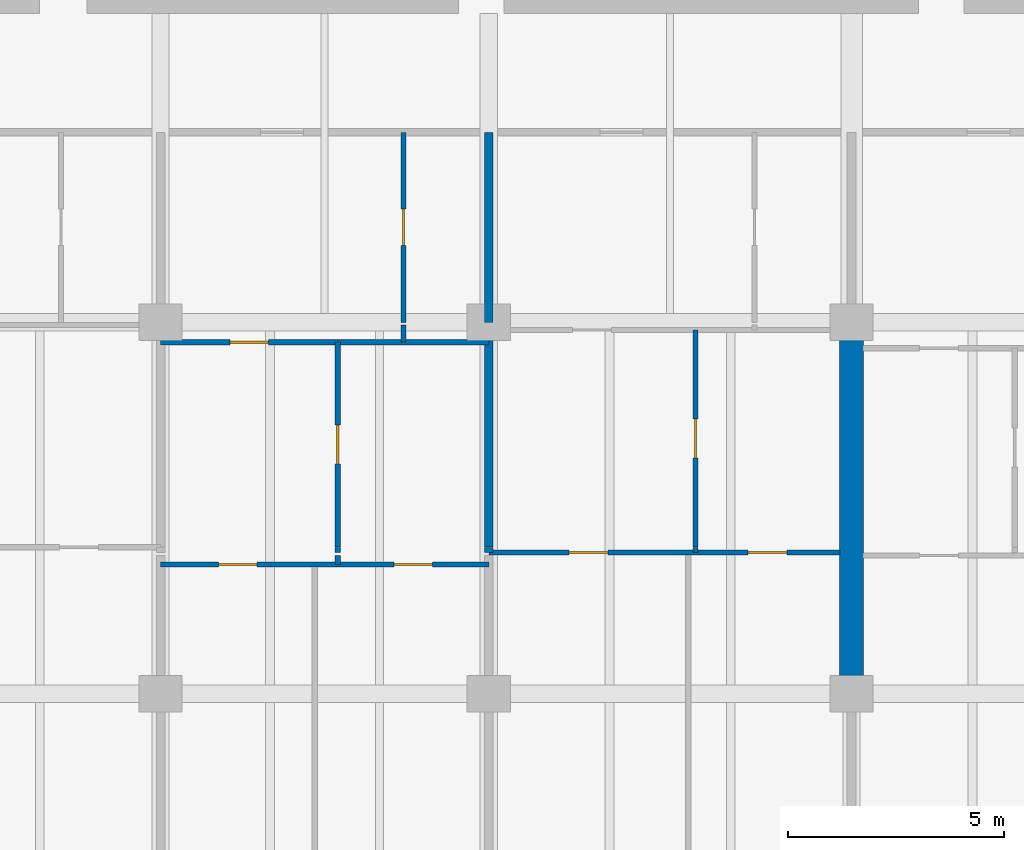
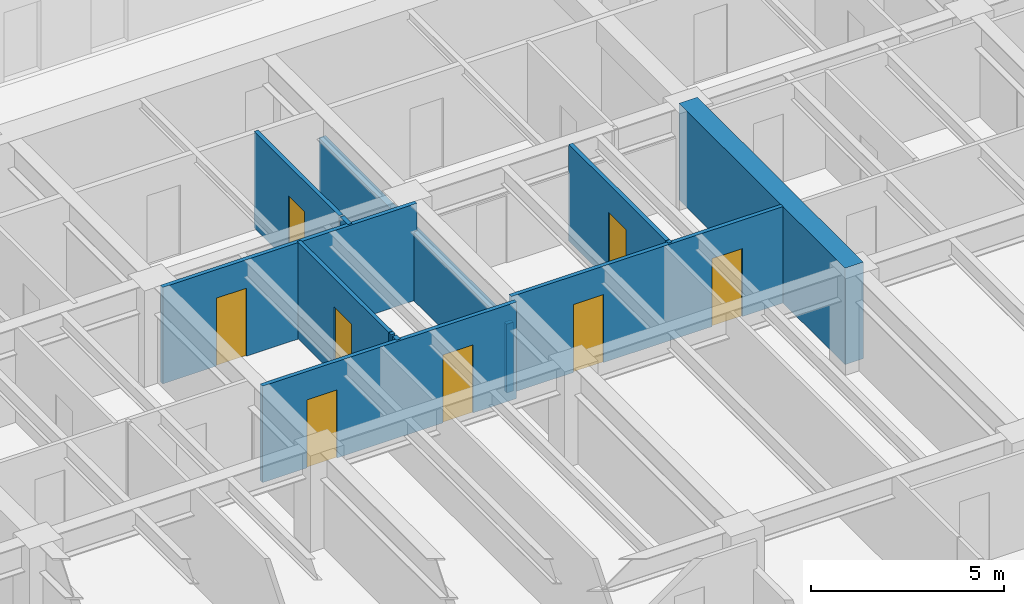
# One storey, part 9 of 19: 14 walls, 8 doors, 8 openings.
"""IFC4 building model written with IfcOpenShell, lengths in metres."""

from ifc_helpers import new_model, si_unit, direction, frame, frame_2d, origin, place, context, subcontext, project, spatial, rectangle, extrude, material, layer, layer_set, type_object, element, fill, save


model = new_model("IFC4")

# Units and contexts
model_context = context("Model", 3, precision=1e-05, world=origin(), true_north=direction((0.0, 1.0)))
body_context = subcontext(model_context, "Body", "Model", "MODEL_VIEW")
ifc_project = project(units=[si_unit("LENGTHUNIT", "METRE"), si_unit("AREAUNIT", "SQUARE_METRE"), si_unit("VOLUMEUNIT", "CUBIC_METRE"), si_unit("PLANEANGLEUNIT", "RADIAN"), si_unit("MASSUNIT", "GRAM", prefix="KILO")], contexts=[model_context])

# Site, building, storey
site_placement = place(None, origin())
site = spatial("IfcSite", under=ifc_project, at=site_placement, CompositionType="ELEMENT")
building_placement = place(site_placement, origin())
building = spatial("IfcBuilding", under=site, at=building_placement, Name="Caelmar Bay Residences", CompositionType="ELEMENT")
storey_placement = place(building_placement, frame((0.0, 0.0, 91.199951171875)))
storey = spatial("IfcBuildingStorey", under=building, at=storey_placement, Name="L24", CompositionType="ELEMENT", Elevation=91.199951171875)

# Walls
ifc_material_1 = material(Name="Concrete f'c 70 MPa (10,000 psi)", Category="concrete")
ifc_layer_1 = layer(ifc_material_1, 0.550048828125)
ifc_layer_set_1 = layer_set([ifc_layer_1], Name="Concrete f'c 70 MPa (10,000 psi)")
wall_type_1 = type_object("IfcWallType", Name="SW-XSLB-550", PredefinedType="SHEAR", material=ifc_layer_set_1)
wall_1_placement = place(storey_placement, frame((51.10009765625, 20.800048828125, 0.0), z_axis=(0.0, 0.0, 1.0), x_axis=(0.0, 1.0, 0.0)))
element("IfcWall", 1, at=wall_1_placement, inside=storey, type_object=wall_type_1, Name="L24 Transverse Cross-Slab Shear Wall E8", PredefinedType="SHEAR", context=body_context, shape_type="SweptSolid", body=[
    extrude(rectangle(XDim=8.599853515625, YDim=0.550048828125, at=frame_2d((4.2998046875, 0.0))), origin(), (0.0, 0.0, 1.0), 3.050048828125),
])
ifc_material_2 = material(Name="Acoustic metal-stud gypsum partition 120 mm")
ifc_layer_2 = layer(ifc_material_2, 0.1201171875)
ifc_layer_set_2 = layer_set([ifc_layer_2], Name="Acoustic metal-stud gypsum partition 120 mm")
wall_type_2 = type_object("IfcWallType", Name="W-PRT-120", PredefinedType="PARTITIONING", material=ifc_layer_set_2)
wall_2_placement = place(storey_placement, frame((39.2041015625, 23.7900390625, 0.0), z_axis=(0.0, 0.0, 1.0), x_axis=(0.0, 1.0, 0.0)))
element("IfcWall", 2, at=wall_2_placement, inside=storey, type_object=wall_type_2, Name="L24 Partition Wall V047", PredefinedType="PARTITIONING", context=body_context, shape_type="SweptSolid", body=[
    extrude(rectangle(XDim=0.2099609375, YDim=0.1201171875, at=frame_2d((0.10498046875, 0.0))), origin(), (0.0, 0.0, 1.0), 3.050048828125),
])
wall_3_placement = place(storey_placement, frame((39.2041015625, 24.070068359375, 0.0), z_axis=(0.0, 0.0, 1.0), x_axis=(0.0, 1.0, 0.0)))
element("IfcWall", 3, at=wall_3_placement, inside=storey, type_object=wall_type_2, Name="L24 Partition Wall V048", PredefinedType="PARTITIONING", context=body_context, shape_type="SweptSolid", body=[
    extrude(rectangle(XDim=0.119873046875, YDim=0.1201171875, at=frame_2d((0.06005859375, 0.0))), origin(), (0.0, 0.0, 1.0), 3.050048828125),
])

# Wall, opening, door
wall_4_placement = place(storey_placement, frame((39.2041015625, 24.199951171875, 0.0), z_axis=(0.0, 0.0, 1.0), x_axis=(0.0, 1.0, 0.0)))
wall_4 = element("IfcWall", 4, at=wall_4_placement, inside=storey, type_object=wall_type_2, Name="L24 Partition Wall V049", PredefinedType="PARTITIONING", context=body_context, shape_type="SweptSolid", body=[
    extrude(rectangle(XDim=4.739990234375, YDim=0.1201171875, at=frame_2d((2.3701171875, 0.0))), origin(), (0.0, 0.0, 1.0), 3.050048828125),
])
opening_1_placement = place(wall_4_placement, frame((1.919921875, 0.0, 0.0)))
opening_1 = element("IfcOpeningElement", 5, at=opening_1_placement, cuts=wall_4, Name="Opening D-L24-140", PredefinedType="OPENING", context=body_context, shape_type="SweptSolid", body=[
    extrude(rectangle(XDim=0.89990234375, YDim=2.14990234375, at=frame_2d((0.449951171875, 1.074951171875))), frame((0.0, 0.070068359375, 0.0), z_axis=(0.0, -1.0, 0.0), x_axis=(1.0, 0.0, 0.0)), (0.0, 0.0, 1.0), 0.14013671875),
])
ifc_material_3 = material(Name="Solid walnut timber interior door leaf and frame", Category="wood")
ifc_layer_3 = layer(ifc_material_3, 0.050048828125)
ifc_layer_set_3 = layer_set([ifc_layer_3], Name="Solid walnut timber interior door leaf and frame")
door_type_1 = type_object("IfcDoorType", Name="D-ROOM-900", OperationType="NOTDEFINED", PredefinedType="DOOR", material=ifc_layer_set_3)
door_1_placement = place(opening_1_placement, origin())
door_1 = element("IfcDoor", 6, at=door_1_placement, inside=storey, type_object=door_type_1, Name="L24 Residence 03 Home Office Door", OperationType="SINGLE_SWING_LEFT", OverallHeight=2.14990234375, OverallWidth=0.89990234375, PredefinedType="DOOR", context=body_context, shape_type="SweptSolid", body=[
    extrude(rectangle(XDim=0.89990234375, YDim=2.14990234375, at=frame_2d((0.449951171875, 1.074951171875))), frame((0.0, 0.02490234375, 0.0), z_axis=(0.0, -1.0, 0.0), x_axis=(1.0, 0.0, 0.0)), (0.0, 0.0, 1.0), 0.050048828125),
])
fill(opening_1, door_1)

# Wall
wall_5_placement = place(storey_placement, frame((40.72509765625, 28.93994140625, 0.0), z_axis=(0.0, 0.0, 1.0), x_axis=(0.0, 1.0, 0.0)))
element("IfcWall", 7, at=wall_5_placement, inside=storey, type_object=wall_type_2, Name="L24 Partition Wall V051", PredefinedType="PARTITIONING", context=body_context, shape_type="SweptSolid", body=[
    extrude(rectangle(XDim=0.400146484375, YDim=0.1201171875, at=frame_2d((0.2001953125, 0.0))), origin(), (0.0, 0.0, 1.0), 3.050048828125),
])

# Wall, opening, door
wall_6_placement = place(storey_placement, frame((40.72509765625, 29.39990234375, 0.0), z_axis=(0.0, 0.0, 1.0), x_axis=(0.0, 1.0, 0.0)))
wall_6 = element("IfcWall", 8, at=wall_6_placement, inside=storey, type_object=wall_type_2, Name="L24 Partition Wall V052", PredefinedType="PARTITIONING", context=body_context, shape_type="SweptSolid", body=[
    extrude(rectangle(XDim=4.400146484375, YDim=0.1201171875, at=frame_2d((2.2001953125, 0.0))), origin(), (0.0, 0.0, 1.0), 3.050048828125),
])
opening_2_placement = place(wall_6_placement, frame((1.77490234375, 0.0, 0.0)))
opening_2 = element("IfcOpeningElement", 9, at=opening_2_placement, cuts=wall_6, Name="Opening D-L24-138", PredefinedType="OPENING", context=body_context, shape_type="SweptSolid", body=[
    extrude(rectangle(XDim=0.85009765625, YDim=2.10009765625, at=frame_2d((0.425048828125, 1.050048828125))), frame((0.0, 0.070068359375, 0.0), z_axis=(0.0, -1.0, 0.0), x_axis=(1.0, 0.0, 0.0)), (0.0, 0.0, 1.0), 0.14013671875),
])
ifc_layer_4 = layer(ifc_material_3, 0.050048828125)
ifc_layer_set_4 = layer_set([ifc_layer_4], Name="Solid walnut timber interior door leaf and frame")
door_type_2 = type_object("IfcDoorType", Name="D-BATH-850", OperationType="NOTDEFINED", PredefinedType="DOOR", material=ifc_layer_set_4)
door_2_placement = place(opening_2_placement, origin())
door_2 = element("IfcDoor", 10, at=door_2_placement, inside=storey, type_object=door_type_2, Name="L24 Residence 03 Bathroom Door", OperationType="SINGLE_SWING_LEFT", OverallHeight=2.10009765625, OverallWidth=0.85009765625, PredefinedType="DOOR", context=body_context, shape_type="SweptSolid", body=[
    extrude(rectangle(XDim=0.85009765625, YDim=2.10009765625, at=frame_2d((0.425048828125, 1.050048828125))), frame((0.0, 0.02490234375, 0.0), z_axis=(0.0, -1.0, 0.0), x_axis=(1.0, 0.0, 0.0)), (0.0, 0.0, 1.0), 0.050048828125),
])
fill(opening_2, door_2)

# Wall
wall_7_placement = place(storey_placement, frame((47.486083984375, 24.070068359375, 0.0), z_axis=(0.0, 0.0, 1.0), x_axis=(0.0, 1.0, 0.0)))
element("IfcWall", 11, at=wall_7_placement, inside=storey, type_object=wall_type_2, Name="L24 Partition Wall V062", PredefinedType="PARTITIONING", context=body_context, shape_type="SweptSolid", body=[
    extrude(rectangle(XDim=0.119873046875, YDim=0.1201171875, at=frame_2d((0.06005859375, 0.0))), origin(), (0.0, 0.0, 1.0), 3.050048828125),
])

# Wall, opening, door
wall_8_placement = place(storey_placement, frame((47.486083984375, 24.199951171875, 0.0), z_axis=(0.0, 0.0, 1.0), x_axis=(0.0, 1.0, 0.0)))
wall_8 = element("IfcWall", 12, at=wall_8_placement, inside=storey, type_object=wall_type_2, Name="L24 Partition Wall V063", PredefinedType="PARTITIONING", context=body_context, shape_type="SweptSolid", body=[
    extrude(rectangle(XDim=5.02001953125, YDim=0.1201171875, at=frame_2d((2.510009765625, 0.0))), origin(), (0.0, 0.0, 1.0), 3.050048828125),
])
opening_3_placement = place(wall_8_placement, frame((2.06005859375, 0.0, 0.0)))
opening_3 = element("IfcOpeningElement", 13, at=opening_3_placement, cuts=wall_8, Name="Opening D-L24-147", PredefinedType="OPENING", context=body_context, shape_type="SweptSolid", body=[
    extrude(rectangle(XDim=0.89990234375, YDim=2.14990234375, at=frame_2d((0.449951171875, 1.074951171875))), frame((0.0, 0.070068359375, 0.0), z_axis=(0.0, -1.0, 0.0), x_axis=(1.0, 0.0, 0.0)), (0.0, 0.0, 1.0), 0.14013671875),
])
door_3_placement = place(opening_3_placement, origin())
door_3 = element("IfcDoor", 14, at=door_3_placement, inside=storey, type_object=door_type_1, Name="L24 Residence 04 Home Office Door", OperationType="SINGLE_SWING_RIGHT", OverallHeight=2.14990234375, OverallWidth=0.89990234375, PredefinedType="DOOR", context=body_context, shape_type="SweptSolid", body=[
    extrude(rectangle(XDim=0.89990234375, YDim=2.14990234375, at=frame_2d((0.449951171875, 1.074951171875))), frame((0.0, 0.02490234375, 0.0), z_axis=(0.0, -1.0, 0.0), x_axis=(1.0, 0.0, 0.0)), (0.0, 0.0, 1.0), 0.050048828125),
])
fill(opening_3, door_3)

# Wall, openings, doors
wall_9_placement = place(storey_placement, frame((35.10009765625, 23.7900390625, 0.0), z_axis=(0.0, 0.0, 1.0), x_axis=(1.0, 0.0, 0.0)))
wall_9 = element("IfcWall", 15, at=wall_9_placement, inside=storey, type_object=wall_type_2, Name="L24 Partition Wall H104", PredefinedType="PARTITIONING", context=body_context, shape_type="SweptSolid", body=[
    extrude(rectangle(XDim=7.599853515625, YDim=0.1201171875, at=frame_2d((3.7998046875, 0.0))), origin(), (0.0, 0.0, 1.0), 3.050048828125),
])
opening_4_placement = place(wall_9_placement, frame((1.3359375, 0.0, 0.0)))
opening_4 = element("IfcOpeningElement", 16, at=opening_4_placement, cuts=wall_9, Name="Opening D-L24-141", PredefinedType="OPENING", context=body_context, shape_type="SweptSolid", body=[
    extrude(rectangle(XDim=0.89990234375, YDim=2.14990234375, at=frame_2d((0.449951171875, 1.074951171875))), frame((0.0, 0.070068359375, 0.0), z_axis=(0.0, -1.0, 0.0), x_axis=(1.0, 0.0, 0.0)), (0.0, 0.0, 1.0), 0.14013671875),
])
opening_5_placement = place(wall_9_placement, frame((5.402099609375, 0.0, 0.0)))
opening_5 = element("IfcOpeningElement", 17, at=opening_5_placement, cuts=wall_9, Name="Opening D-L24-142", PredefinedType="OPENING", context=body_context, shape_type="SweptSolid", body=[
    extrude(rectangle(XDim=0.89990234375, YDim=2.14990234375, at=frame_2d((0.449951171875, 1.074951171875))), frame((0.0, 0.070068359375, 0.0), z_axis=(0.0, -1.0, 0.0), x_axis=(1.0, 0.0, 0.0)), (0.0, 0.0, 1.0), 0.14013671875),
])
door_4_placement = place(opening_4_placement, origin())
door_4 = element("IfcDoor", 18, at=door_4_placement, inside=storey, type_object=door_type_1, Name="L24 Residence 03 Living Room Door", OperationType="SINGLE_SWING_RIGHT", OverallHeight=2.14990234375, OverallWidth=0.89990234375, PredefinedType="DOOR", context=body_context, shape_type="SweptSolid", body=[
    extrude(rectangle(XDim=0.89990234375, YDim=2.14990234375, at=frame_2d((0.449951171875, 1.074951171875))), frame((0.0, 0.02490234375, 0.0), z_axis=(0.0, -1.0, 0.0), x_axis=(1.0, 0.0, 0.0)), (0.0, 0.0, 1.0), 0.050048828125),
])
fill(opening_4, door_4)
door_5_placement = place(opening_5_placement, origin())
door_5 = element("IfcDoor", 19, at=door_5_placement, inside=storey, type_object=door_type_1, Name="L24 Residence 03 Penthouse Sitting Room Door", OperationType="SINGLE_SWING_LEFT", OverallHeight=2.14990234375, OverallWidth=0.89990234375, PredefinedType="DOOR", context=body_context, shape_type="SweptSolid", body=[
    extrude(rectangle(XDim=0.89990234375, YDim=2.14990234375, at=frame_2d((0.449951171875, 1.074951171875))), frame((0.0, 0.02490234375, 0.0), z_axis=(0.0, -1.0, 0.0), x_axis=(1.0, 0.0, 0.0)), (0.0, 0.0, 1.0), 0.050048828125),
])
fill(opening_5, door_5)

wall_10_placement = place(storey_placement, frame((42.699951171875, 24.070068359375, 0.0), z_axis=(0.0, 0.0, 1.0), x_axis=(1.0, 0.0, 0.0)))
wall_10 = element("IfcWall", 20, at=wall_10_placement, inside=storey, type_object=wall_type_2, Name="L24 Partition Wall H107", PredefinedType="PARTITIONING", context=body_context, shape_type="SweptSolid", body=[
    extrude(rectangle(XDim=8.130126953125, YDim=0.1201171875, at=frame_2d((4.06494140625, 0.0))), origin(), (0.0, 0.0, 1.0), 3.050048828125),
])
opening_6_placement = place(wall_10_placement, frame((1.860107421875, 0.0, 0.0)))
opening_6 = element("IfcOpeningElement", 21, at=opening_6_placement, cuts=wall_10, Name="Opening D-L24-148", PredefinedType="OPENING", context=body_context, shape_type="SweptSolid", body=[
    extrude(rectangle(XDim=0.89990234375, YDim=2.14990234375, at=frame_2d((0.449951171875, 1.074951171875))), frame((0.0, 0.070068359375, 0.0), z_axis=(0.0, -1.0, 0.0), x_axis=(1.0, 0.0, 0.0)), (0.0, 0.0, 1.0), 0.14013671875),
])
opening_7_placement = place(wall_10_placement, frame((6.008056640625, 0.0, 0.0)))
opening_7 = element("IfcOpeningElement", 22, at=opening_7_placement, cuts=wall_10, Name="Opening D-L24-149", PredefinedType="OPENING", context=body_context, shape_type="SweptSolid", body=[
    extrude(rectangle(XDim=0.89990234375, YDim=2.14990234375, at=frame_2d((0.449951171875, 1.074951171875))), frame((0.0, 0.070068359375, 0.0), z_axis=(0.0, -1.0, 0.0), x_axis=(1.0, 0.0, 0.0)), (0.0, 0.0, 1.0), 0.14013671875),
])
door_6_placement = place(opening_6_placement, origin())
door_6 = element("IfcDoor", 23, at=door_6_placement, inside=storey, type_object=door_type_1, Name="L24 Residence 04 Penthouse Living Salon Door", OperationType="SINGLE_SWING_LEFT", OverallHeight=2.14990234375, OverallWidth=0.89990234375, PredefinedType="DOOR", context=body_context, shape_type="SweptSolid", body=[
    extrude(rectangle(XDim=0.89990234375, YDim=2.14990234375, at=frame_2d((0.449951171875, 1.074951171875))), frame((0.0, 0.02490234375, 0.0), z_axis=(0.0, -1.0, 0.0), x_axis=(1.0, 0.0, 0.0)), (0.0, 0.0, 1.0), 0.050048828125),
])
fill(opening_6, door_6)
door_7_placement = place(opening_7_placement, origin())
door_7 = element("IfcDoor", 24, at=door_7_placement, inside=storey, type_object=door_type_1, Name="L24 Residence 04 Penthouse Sitting Room Door", OperationType="SINGLE_SWING_RIGHT", OverallHeight=2.14990234375, OverallWidth=0.89990234375, PredefinedType="DOOR", context=body_context, shape_type="SweptSolid", body=[
    extrude(rectangle(XDim=0.89990234375, YDim=2.14990234375, at=frame_2d((0.449951171875, 1.074951171875))), frame((0.0, 0.02490234375, 0.0), z_axis=(0.0, -1.0, 0.0), x_axis=(1.0, 0.0, 0.0)), (0.0, 0.0, 1.0), 0.050048828125),
])
fill(opening_7, door_7)

# Wall, opening, door
wall_11_placement = place(storey_placement, frame((35.10009765625, 28.93994140625, 0.0), z_axis=(0.0, 0.0, 1.0), x_axis=(1.0, 0.0, 0.0)))
wall_11 = element("IfcWall", 25, at=wall_11_placement, inside=storey, type_object=wall_type_2, Name="L24 Partition Wall H115", PredefinedType="PARTITIONING", context=body_context, shape_type="SweptSolid", body=[
    extrude(rectangle(XDim=7.599853515625, YDim=0.1201171875, at=frame_2d((3.7998046875, 0.0))), origin(), (0.0, 0.0, 1.0), 3.050048828125),
])
opening_8_placement = place(wall_11_placement, frame((1.60205078125, 0.0, 0.0)))
opening_8 = element("IfcOpeningElement", 26, at=opening_8_placement, cuts=wall_11, Name="Opening D-L24-139", PredefinedType="OPENING", context=body_context, shape_type="SweptSolid", body=[
    extrude(rectangle(XDim=0.89990234375, YDim=2.14990234375, at=frame_2d((0.449951171875, 1.074951171875))), frame((0.0, 0.070068359375, 0.0), z_axis=(0.0, -1.0, 0.0), x_axis=(1.0, 0.0, 0.0)), (0.0, 0.0, 1.0), 0.14013671875),
])
door_8_placement = place(opening_8_placement, origin())
door_8 = element("IfcDoor", 27, at=door_8_placement, inside=storey, type_object=door_type_1, Name="L24 Residence 03 Kitchen Door", OperationType="SINGLE_SWING_RIGHT", OverallHeight=2.14990234375, OverallWidth=0.89990234375, PredefinedType="DOOR", context=body_context, shape_type="SweptSolid", body=[
    extrude(rectangle(XDim=0.89990234375, YDim=2.14990234375, at=frame_2d((0.449951171875, 1.074951171875))), frame((0.0, 0.02490234375, 0.0), z_axis=(0.0, -1.0, 0.0), x_axis=(1.0, 0.0, 0.0)), (0.0, 0.0, 1.0), 0.050048828125),
])
fill(opening_8, door_8)

# Walls
ifc_material_4 = material(Name="Acoustic twin-stud fire-rated inter-tenancy partition 200 mm")
ifc_layer_5 = layer(ifc_material_4, 0.199951171875)
ifc_layer_set_5 = layer_set([ifc_layer_5], Name="Acoustic twin-stud fire-rated inter-tenancy partition 200 mm")
wall_type_3 = type_object("IfcWallType", Name="W-PTY-200", PredefinedType="PARTITIONING", material=ifc_layer_set_5)
wall_12_placement = place(storey_placement, frame((42.699951171875, 24.070068359375, 0.0), z_axis=(0.0, 0.0, 1.0), x_axis=(0.0, 1.0, 0.0)))
element("IfcWall", 28, at=wall_12_placement, inside=storey, type_object=wall_type_3, Name="L24 Partition Wall V055", PredefinedType="PARTITIONING", context=body_context, shape_type="SweptSolid", body=[
    extrude(rectangle(XDim=0.119873046875, YDim=0.199951171875, at=frame_2d((0.06005859375, 0.0))), origin(), (0.0, 0.0, 1.0), 2.174072265625),
])
wall_13_placement = place(storey_placement, frame((42.699951171875, 24.199951171875, 0.0), z_axis=(0.0, 0.0, 1.0), x_axis=(0.0, 1.0, 0.0)))
element("IfcWall", 29, at=wall_13_placement, inside=storey, type_object=wall_type_3, Name="L24 Partition Wall V056", PredefinedType="PARTITIONING", context=body_context, shape_type="SweptSolid", body=[
    extrude(rectangle(XDim=5.14013671875, YDim=0.199951171875, at=frame_2d((2.570068359375, 0.0))), origin(), (0.0, 0.0, 1.0), 2.174072265625),
])
wall_14_placement = place(storey_placement, frame((42.699951171875, 29.39990234375, 0.0), z_axis=(0.0, 0.0, 1.0), x_axis=(0.0, 1.0, 0.0)))
element("IfcWall", 30, at=wall_14_placement, inside=storey, type_object=wall_type_3, Name="L24 Partition Wall V057", PredefinedType="PARTITIONING", context=body_context, shape_type="SweptSolid", body=[
    extrude(rectangle(XDim=4.400146484375, YDim=0.199951171875, at=frame_2d((2.2001953125, 0.0))), origin(), (0.0, 0.0, 1.0), 2.174072265625),
])

save(model, "model.ifc")
